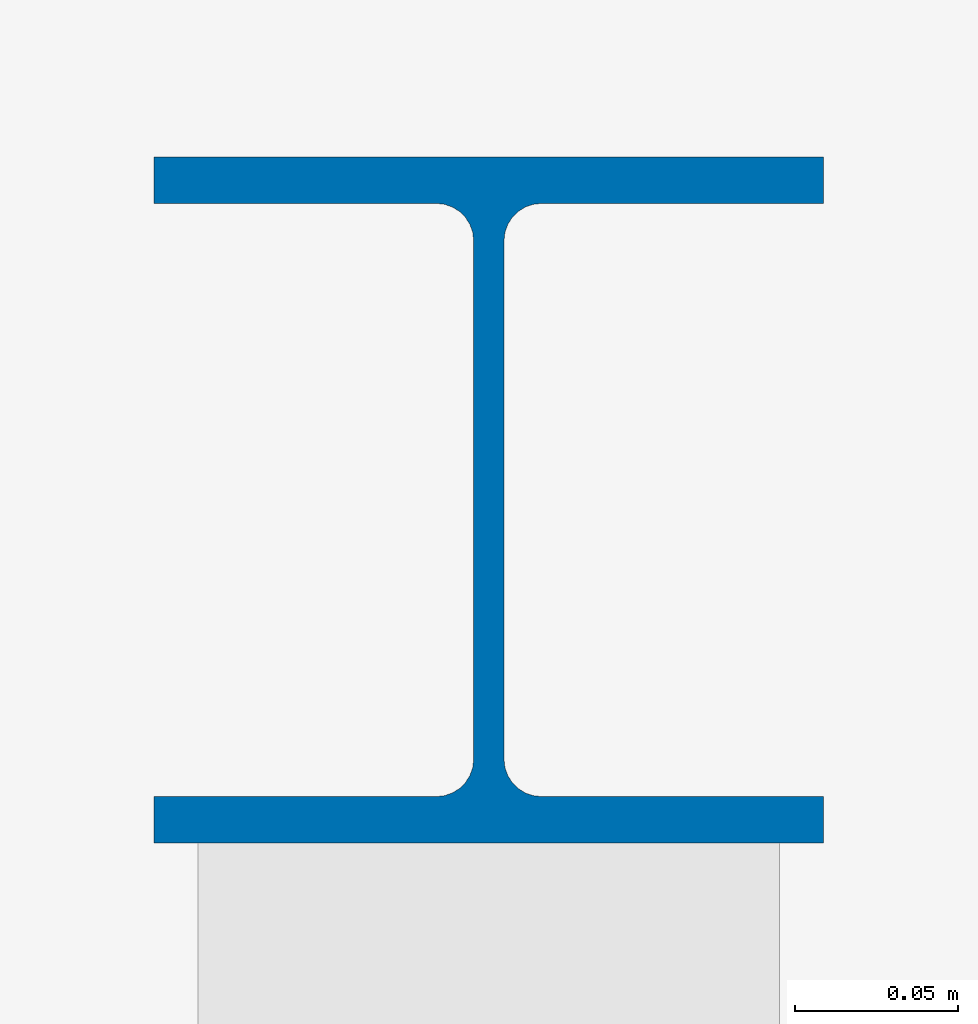
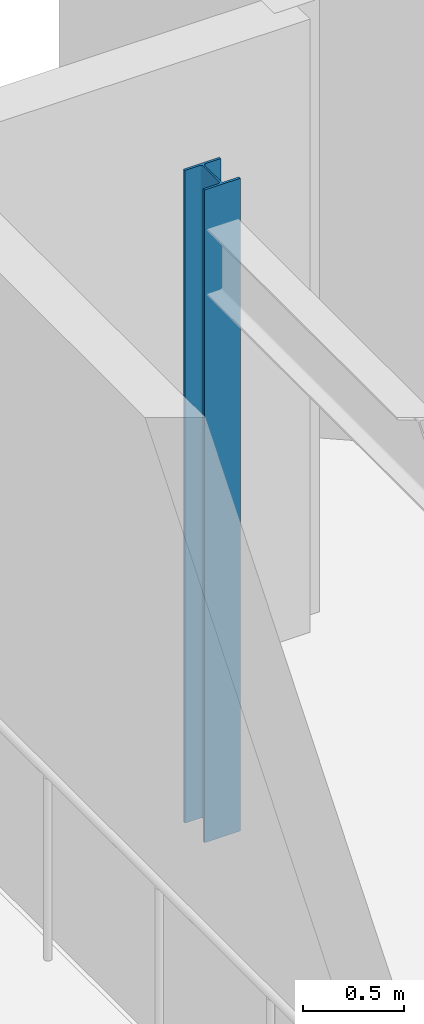
# One storey, part 4 of 15: 1 column.
"""IFC4 building model written with IfcOpenShell, lengths in metres."""

import ifcopenshell
import ifcopenshell.guid

model = None  # the IFC model being written
_history = None  # IfcOwnerHistory: only IFC2X3 demands one
_inside = {}  # id of a spatial element -> (the spatial element, [elements in it])
_under = {}  # id of a project, library or spatial element -> (it, [spatial elements below it])
_declared = {}  # id of a project -> (the project, [libraries it declares])
_typed = {}  # id of a type object -> (the type object, [elements of that type])
_made_of = {}  # id of a material, layer set ... -> (it, [elements and type objects made of it])


def new_model(schema):
    """Start an empty IFC model of exactly this schema.

    Asked for "IFC4X3", IfcOpenShell would pick the latest addendum, in which some entities
    have other attributes; the version numbers below select the first issue.
    IFC2X3 requires an IfcOwnerHistory on every rooted entity: one is made here for all.
    """
    global model, _history
    if schema == "IFC4X3":
        model = ifcopenshell.file(schema_version=(4, 3, 0, 0))
    else:
        model = ifcopenshell.file(schema=schema)
    _inside.clear()
    _under.clear()
    _declared.clear()
    _typed.clear()
    _made_of.clear()
    _history = None
    if model.schema == "IFC2X3":
        org = make("IfcOrganization", Name="unknown")
        user = make(
            "IfcPersonAndOrganization",
            ThePerson=make("IfcPerson", FamilyName="unknown"),
            TheOrganization=org,
        )
        app = make(
            "IfcApplication",
            ApplicationDeveloper=org,
            Version="unknown",
            ApplicationFullName="unknown",
            ApplicationIdentifier="unknown",
        )
        _history = make(
            "IfcOwnerHistory",
            OwningUser=user,
            OwningApplication=app,
            ChangeAction="ADDED",
            CreationDate=0,
        )
    return model


def make(cls, **values):
    """One entity of the class cls with the attributes given. An attribute that is None is left unset."""
    return model.create_entity(
        cls, **{name: value for name, value in values.items() if value is not None}
    )


def rooted(cls, **values):
    """An entity with a GlobalId (a new one), such as an element, a storey or a relation."""
    return make(cls, GlobalId=ifcopenshell.guid.new(), OwnerHistory=_history, **values)


def si_unit(unit_type, name, prefix=None):
    """IfcSIUnit, for example si_unit("LENGTHUNIT", "METRE", prefix="MILLI")."""
    return make("IfcSIUnit", UnitType=unit_type, Prefix=prefix, Name=name)


def assignment(units):
    """IfcUnitAssignment: the units of a project."""
    return None if units is None else make("IfcUnitAssignment", Units=units)


def point(xyz):
    """IfcCartesianPoint."""
    return None if xyz is None else make("IfcCartesianPoint", Coordinates=xyz)


def direction(xyz):
    """IfcDirection."""
    return None if xyz is None else make("IfcDirection", DirectionRatios=xyz)


def frame(location, z_axis=None, x_axis=None):
    """IfcAxis2Placement3D, a coordinate frame: its origin and axes. An axis left out is left unset."""
    return make(
        "IfcAxis2Placement3D",
        Location=point(location),
        Axis=direction(z_axis),
        RefDirection=direction(x_axis),
    )


def frame_2d(location, x_axis=None):
    """IfcAxis2Placement2D, a coordinate frame in the plane: its origin and x axis."""
    return make(
        "IfcAxis2Placement2D", Location=point(location), RefDirection=direction(x_axis)
    )


def origin():
    """The frame at (0, 0, 0) with its axes left unset."""
    return frame((0.0, 0.0, 0.0))


def origin_2d():
    """The frame at (0, 0) in the plane with its x axis left unset."""
    return frame_2d((0.0, 0.0))


def place(relative_to, where):
    """IfcLocalPlacement: puts the frame where relative to a parent placement (None: the world)."""
    return make(
        "IfcLocalPlacement", PlacementRelTo=relative_to, RelativePlacement=where
    )


def context(
    kind, dimensions, precision=None, world=None, true_north=None, identifier=None
):
    """IfcGeometricRepresentationContext, for example the 3D "Model" context."""
    return make(
        "IfcGeometricRepresentationContext",
        ContextIdentifier=identifier,
        ContextType=kind,
        CoordinateSpaceDimension=dimensions,
        Precision=precision,
        WorldCoordinateSystem=world,
        TrueNorth=true_north,
    )


def subcontext(parent, identifier, kind, view, scale=None):
    """IfcGeometricRepresentationSubContext, for example "Body" below "Model"."""
    return make(
        "IfcGeometricRepresentationSubContext",
        ContextIdentifier=identifier,
        ContextType=kind,
        ParentContext=parent,
        TargetScale=scale,
        TargetView=view,
    )


def project(units=None, contexts=None):
    """IfcProject with its units and contexts."""
    return rooted(
        "IfcProject",
        Name="project",
        RepresentationContexts=contexts,
        UnitsInContext=assignment(units),
    )


def spatial(cls, under=None, at=None, **own):
    """A site, building, storey or space (cls), placed at a placement, below another one or the project."""
    s = rooted(cls, ObjectPlacement=at, **own)
    if under is not None:
        _under.setdefault(under.id(), (under, []))[1].append(s)
    return s


def profile(cls, at=None, kind="AREA", **sizes):
    """A parametric profile (cls). Its sizes go by their IFC names, for example OverallWidth=200.0."""
    return make(cls, ProfileType=kind, Position=at, **sizes)


def i_section(**sizes):
    """IfcIShapeProfileDef."""
    return profile("IfcIShapeProfileDef", **sizes)


def extrude(swept, where, along, depth):
    """IfcExtrudedAreaSolid: the profile swept, set in the frame where, extruded along a direction by depth."""
    return make(
        "IfcExtrudedAreaSolid",
        SweptArea=swept,
        Position=where,
        ExtrudedDirection=direction(along),
        Depth=depth,
    )


def shape(context_of_items, identifier, shape_type, items):
    """IfcShapeRepresentation: the items that make up one representation, for example the "Body"."""
    return make(
        "IfcShapeRepresentation",
        ContextOfItems=context_of_items,
        RepresentationIdentifier=identifier,
        RepresentationType=shape_type,
        Items=items,
    )


def material(Name=None, Category=None):
    """IfcMaterial."""
    return make("IfcMaterial", Name=Name, Category=Category)


def material_profile(
    of_material, cross_section, Name=None, Category=None, Priority=None
):
    """IfcMaterialProfile: a cross section and its material."""
    return make(
        "IfcMaterialProfile",
        Name=Name,
        Material=of_material,
        Profile=cross_section,
        Priority=Priority,
        Category=Category,
    )


def profile_set(profiles, Name=None, composite=None):
    """IfcMaterialProfileSet."""
    return make(
        "IfcMaterialProfileSet",
        Name=Name,
        MaterialProfiles=profiles,
        CompositeProfile=composite,
    )


def made_of(thing, what):
    """Note that an element or type object is made of a material, layer set ...; save() writes the relation."""
    if what is not None:
        _made_of.setdefault(what.id(), (what, []))[1].append(thing)
    return thing


def type_object(cls, material=None, **own):
    """A type object (cls), such as IfcWallType, which elements share."""
    return made_of(rooted(cls, **own), material)


def element(
    cls,
    number,
    at=None,
    inside=None,
    cuts=None,
    type_object=None,
    material=None,
    context=None,
    identifier="Body",
    shape_type=None,
    held_by="IfcProductDefinitionShape",
    body=None,
    shapes=None,
    **own,
):
    """One element of the class cls, such as IfcWall. Its Tag is "e" and its number.

    at: its placement. inside: the storey or other place that contains it. cuts: it is an
    opening in that element (IfcRelVoidsElement). A single representation is given by context,
    identifier, shape_type and body (its items); several are given by shapes. held_by: the class
    of the entity that holds the representations. save() writes the other relations.
    """
    e = rooted(cls, Tag="e%d" % number, ObjectPlacement=at, **own)
    if body is not None:
        shapes = [shape(context, identifier, shape_type, body)]
    if shapes is not None:
        e.Representation = make(held_by, Representations=shapes)
    if inside is not None:
        _inside.setdefault(inside.id(), (inside, []))[1].append(e)
    if cuts is not None:
        rooted(
            "IfcRelVoidsElement", RelatingBuildingElement=cuts, RelatedOpeningElement=e
        )
    if type_object is not None:
        _typed.setdefault(type_object.id(), (type_object, []))[1].append(e)
    return made_of(e, material)


def aggregate(whole, parts):
    """IfcRelAggregates: a whole, such as a stair, and the parts it consists of."""
    return rooted("IfcRelAggregates", RelatingObject=whole, RelatedObjects=parts)


def save(model, path):
    """Write the relations noted so far, then the file.

    IfcRelAggregates (storeys below a building ...), IfcRelContainedInSpatialStructure (elements
    in a storey), IfcRelDefinesByType, IfcRelAssociatesMaterial and IfcRelDeclares: one each for
    every whole, place, type object, material and project.
    """
    for whole, parts in _under.values():
        aggregate(whole, parts)
    for where, things in _inside.values():
        rooted(
            "IfcRelContainedInSpatialStructure",
            RelatedElements=things,
            RelatingStructure=where,
        )
    for kind, things in _typed.values():
        rooted("IfcRelDefinesByType", RelatedObjects=things, RelatingType=kind)
    for what, things in _made_of.values():
        rooted("IfcRelAssociatesMaterial", RelatedObjects=things, RelatingMaterial=what)
    for by, libraries in _declared.values():
        rooted("IfcRelDeclares", RelatingContext=by, RelatedDefinitions=libraries)
    model.write(path)


model = new_model("IFC4")

# Units and contexts
model_context = context("Model", 3, precision=1e-05, world=origin(), true_north=direction((0.0, 1.0)))
body_context = subcontext(model_context, "Body", "Model", "MODEL_VIEW")
ifc_project = project(units=[si_unit("LENGTHUNIT", "METRE"), si_unit("AREAUNIT", "SQUARE_METRE"), si_unit("VOLUMEUNIT", "CUBIC_METRE"), si_unit("PLANEANGLEUNIT", "RADIAN"), si_unit("MASSUNIT", "GRAM", prefix="KILO")], contexts=[model_context])

# Site, building, storey
site_placement = place(None, origin())
site = spatial("IfcSite", under=ifc_project, at=site_placement, CompositionType="ELEMENT")
building_placement = place(site_placement, origin())
building = spatial("IfcBuilding", under=site, at=building_placement, Name="Varnakote Quay Hospital", CompositionType="ELEMENT")
storey_placement = place(building_placement, frame((0.0, 0.0, 284.199951171875)))
storey = spatial("IfcBuildingStorey", under=building, at=storey_placement, Name="L70", CompositionType="ELEMENT", Elevation=284.199951171875)

# Column
ifc_material = material(Name="Structural steel AS/NZS 3679.1 Grade 350 L0 (fy 340 MPa)", Category="steel")
ifc_material_profile = material_profile(ifc_material, i_section(OverallWidth=0.205078125, OverallDepth=0.2099609375, WebThickness=0.00927734375, FlangeThickness=0.01416015625, FilletRadius=0.011474609375, at=origin_2d()), Name="200UC59.5")
ifc_profile_set = profile_set([ifc_material_profile], Name="Structural steel AS/NZS 3679.1 Grade 350 L0 (fy 340 MPa)")
column_type = type_object("IfcColumnType", Name="COL-STL-200UC59-5", PredefinedType="COLUMN", material=ifc_profile_set)
column_placement = place(storey_placement, frame((1.199951171875, 37.199951171875, 0.0), z_axis=(0.0, 0.0, 1.0), x_axis=(1.0, 0.0, 0.0)))
element("IfcColumn", 1, at=column_placement, inside=storey, type_object=column_type, Name="L70 Structural Column C-1-37", PredefinedType="COLUMN", context=body_context, shape_type="SweptSolid", body=[
    extrude(i_section(OverallWidth=0.205078125, OverallDepth=0.2099609375, WebThickness=0.00927734375, FlangeThickness=0.01416015625, FilletRadius=0.011474609375, at=origin_2d()), origin(), (0.0, 0.0, 1.0), 3.949951171875),
])

save(model, "model.ifc")
